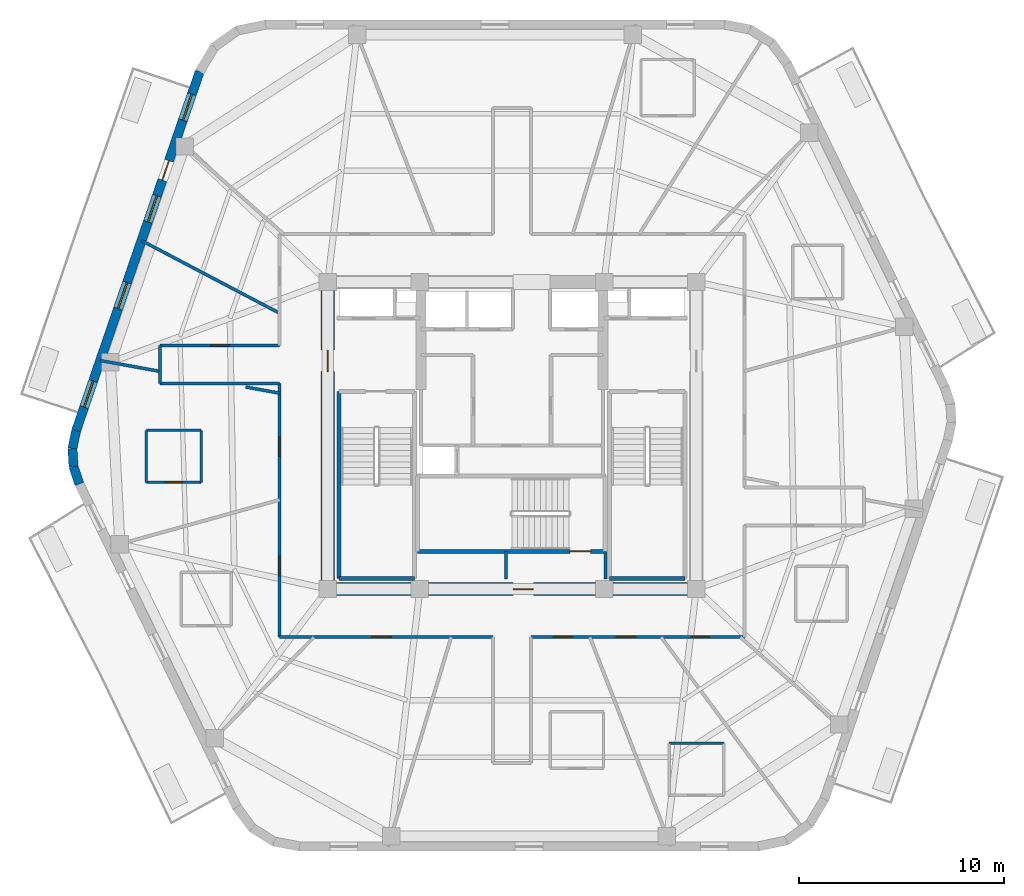
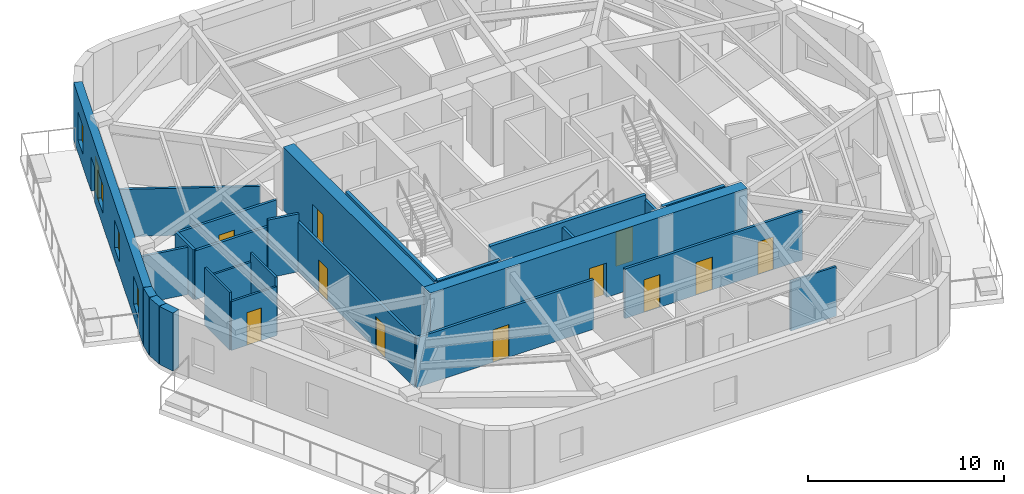
# One storey, part 3 of 9: 26 walls, 12 doors, 4 windows, 16 openings.
"""IFC4 building model written with IfcOpenShell, lengths in metres."""

from ifc_helpers import new_model, si_unit, direction, frame, frame_2d, origin, place, context, subcontext, project, spatial, rectangle, extrude, material, layer, layer_set, type_object, element, fill, save


model = new_model("IFC4")

# Units and contexts
model_context = context("Model", 3, precision=1e-05, world=origin(), true_north=direction((0.0, 1.0)))
body_context = subcontext(model_context, "Body", "Model", "MODEL_VIEW")
ifc_project = project(units=[si_unit("LENGTHUNIT", "METRE"), si_unit("AREAUNIT", "SQUARE_METRE"), si_unit("VOLUMEUNIT", "CUBIC_METRE"), si_unit("PLANEANGLEUNIT", "RADIAN"), si_unit("MASSUNIT", "GRAM", prefix="KILO")], contexts=[model_context])

# Site, building, storey
site_placement = place(None, origin())
site = spatial("IfcSite", under=ifc_project, at=site_placement, CompositionType="ELEMENT")
building_placement = place(site_placement, origin())
building = spatial("IfcBuilding", under=site, at=building_placement, Name="Kilnhurst Terrace Hotel", CompositionType="ELEMENT")
storey_placement = place(building_placement, frame((0.0, 0.0, 276.89990234375)))
storey = spatial("IfcBuildingStorey", under=building, at=storey_placement, Name="L69", CompositionType="ELEMENT", Elevation=276.89990234375)

# Walls
ifc_material_1 = material(Name="Precast concrete C40/50", Category="concrete")
ifc_layer_1 = layer(ifc_material_1, 0.449951171875, Name="Precast concrete C40/50")
ifc_layer_set_1 = layer_set([ifc_layer_1], Name="Precast concrete C40/50")
wall_type_1 = type_object("IfcWallType", Name="WL-BRK-450", PredefinedType="SOLIDWALL", material=ifc_layer_set_1)
wall_1_placement = place(storey_placement, frame((-21.297607421875, 0.2333984375, 0.0), z_axis=(0.0, 0.0, 1.0), x_axis=(-0.199158176661, -0.979967356941, 0.0)))
element("IfcWall", 1, at=wall_1_placement, inside=storey, type_object=wall_type_1, Name="L69 Rounded Corner Brick Wall C6.1", PredefinedType="SOLIDWALL", context=body_context, shape_type="SweptSolid", body=[
    extrude(rectangle(XDim=0.894775390625, YDim=0.449951171875, at=frame_2d((0.447265625, 0.0))), origin(), (0.0, 0.0, 1.0), 3.60009765625),
])
wall_2_placement = place(storey_placement, frame((-21.475830078125, -0.6435546875, 0.0), z_axis=(0.0, 0.0, 1.0), x_axis=(0.061031097918, -0.998135865044, 0.0)))
element("IfcWall", 2, at=wall_2_placement, inside=storey, type_object=wall_type_1, Name="L69 Rounded Corner Brick Wall C6.2", PredefinedType="SOLIDWALL", context=body_context, shape_type="SweptSolid", body=[
    extrude(rectangle(XDim=0.880126953125, YDim=0.449951171875, at=frame_2d((0.43994140625, 0.0))), origin(), (0.0, 0.0, 1.0), 3.60009765625),
])
wall_3_placement = place(storey_placement, frame((-21.422119140625, -1.52197265625, 0.0), z_axis=(0.0, 0.0, 1.0), x_axis=(0.316964162323, -0.94843751497, 0.0)))
element("IfcWall", 3, at=wall_3_placement, inside=storey, type_object=wall_type_1, Name="L69 Rounded Corner Brick Wall C6.3", PredefinedType="SOLIDWALL", context=body_context, shape_type="SweptSolid", body=[
    extrude(rectangle(XDim=0.89501953125, YDim=0.449951171875, at=frame_2d((0.447509765625, 0.0))), origin(), (0.0, 0.0, 1.0), 3.60009765625),
])

# Wall, openings, door, windows
wall_4_placement = place(storey_placement, frame((-15.260498046875, 17.776123046875, 0.0), z_axis=(0.0, 0.0, 1.0), x_axis=(-0.325407437101, -0.945573899745, 0.0)))
wall_4 = element("IfcWall", 4, at=wall_4_placement, inside=storey, type_object=wall_type_1, Name="L69 Exterior Brick Facade Wall F5", PredefinedType="SOLIDWALL", context=body_context, shape_type="SweptSolid", body=[
    extrude(rectangle(XDim=18.552490234375, YDim=0.449951171875, at=frame_2d((9.2763671875, 0.0))), origin(), (0.0, 0.0, 1.0), 3.60009765625),
])
opening_1_placement = place(wall_4_placement, frame((4.60205078125, 0.0, 0.0)))
opening_1 = element("IfcOpeningElement", 5, at=opening_1_placement, cuts=wall_4, Name="Opening BD-1000", PredefinedType="OPENING", context=body_context, shape_type="SweptSolid", body=[
    extrude(rectangle(XDim=1.0, YDim=2.14990234375, at=frame_2d((0.5, 1.074951171875))), frame((0.0, 0.23486328125, 0.0), z_axis=(0.0, -1.0, 0.0), x_axis=(1.0, 0.0, 0.0)), (0.0, 0.0, 1.0), 0.469970703125),
])
opening_2_placement = place(wall_4_placement, frame((1.160888671875, 0.0, 0.800048828125)))
opening_2 = element("IfcOpeningElement", 6, at=opening_2_placement, cuts=wall_4, Name="Opening W-06", PredefinedType="OPENING", context=body_context, shape_type="SweptSolid", body=[
    extrude(rectangle(XDim=1.35009765625, YDim=1.75, at=frame_2d((0.675048828125, 0.875))), frame((0.0, 0.23486328125, 0.0), z_axis=(0.0, -1.0, 0.0), x_axis=(1.0, 0.0, 0.0)), (0.0, 0.0, 1.0), 0.469970703125),
])
opening_3_placement = place(wall_4_placement, frame((6.412109375, 0.0, 0.800048828125)))
opening_3 = element("IfcOpeningElement", 7, at=opening_3_placement, cuts=wall_4, Name="Opening W-06", PredefinedType="OPENING", context=body_context, shape_type="SweptSolid", body=[
    extrude(rectangle(XDim=1.35009765625, YDim=1.75, at=frame_2d((0.675048828125, 0.875))), frame((0.0, 0.23486328125, 0.0), z_axis=(0.0, -1.0, 0.0), x_axis=(1.0, 0.0, 0.0)), (0.0, 0.0, 1.0), 0.469970703125),
])
opening_4_placement = place(wall_4_placement, frame((10.89208984375, 0.0, 0.800048828125)))
opening_4 = element("IfcOpeningElement", 8, at=opening_4_placement, cuts=wall_4, Name="Opening W-06", PredefinedType="OPENING", context=body_context, shape_type="SweptSolid", body=[
    extrude(rectangle(XDim=1.35009765625, YDim=1.75, at=frame_2d((0.675048828125, 0.875))), frame((0.0, 0.23486328125, 0.0), z_axis=(0.0, -1.0, 0.0), x_axis=(1.0, 0.0, 0.0)), (0.0, 0.0, 1.0), 0.469970703125),
])
opening_5_placement = place(wall_4_placement, frame((15.987060546875, 0.0, 0.800048828125)))
opening_5 = element("IfcOpeningElement", 9, at=opening_5_placement, cuts=wall_4, Name="Opening W-06", PredefinedType="OPENING", context=body_context, shape_type="SweptSolid", body=[
    extrude(rectangle(XDim=1.35009765625, YDim=1.75, at=frame_2d((0.675048828125, 0.875))), frame((0.0, 0.23486328125, 0.0), z_axis=(0.0, -1.0, 0.0), x_axis=(1.0, 0.0, 0.0)), (0.0, 0.0, 1.0), 0.469970703125),
])
ifc_material_2 = material(Name="Thermally Broken Bronze Aluminium Alloy 6063-T6 and Laminated Glass", Category="aluminium")
door_type_1 = type_object("IfcDoorType", Name="DR-EXT-BAL-1000", OperationType="NOTDEFINED", PredefinedType="DOOR", material=ifc_material_2)
door_1_placement = place(opening_1_placement, origin())
door_1 = element("IfcDoor", 10, at=door_1_placement, inside=storey, type_object=door_type_1, Name="L69 Planted Balcony Door BAL-L2A", OperationType="SINGLE_SWING_LEFT", OverallHeight=2.14990234375, OverallWidth=1.0, PredefinedType="DOOR", context=body_context, shape_type="SweptSolid", body=[
    extrude(rectangle(XDim=1.0, YDim=2.14990234375, at=frame_2d((0.5, 1.074951171875))), frame((0.0, 0.02490234375, 0.0), z_axis=(0.0, -1.0, 0.0), x_axis=(1.0, 0.0, 0.0)), (0.0, 0.0, 1.0), 0.050048828125),
])
fill(opening_1, door_1)
ifc_material_3 = material(Name="Thermally Broken Bronze Aluminium Alloy 6063-T6 and Low-E Glass", Category="aluminium")
window_type = type_object("IfcWindowType", Name="WIN-1350X1750", PartitioningType="SINGLE_PANEL", PredefinedType="WINDOW", material=ifc_material_3)
window_1_placement = place(opening_2_placement, origin())
window_1 = element("IfcWindow", 11, at=window_1_placement, inside=storey, type_object=window_type, Name="L69 Deep-Set Masonry Window F5.1", OverallHeight=1.75, OverallWidth=1.35009765625, PartitioningType="SINGLE_PANEL", PredefinedType="WINDOW", context=body_context, shape_type="SweptSolid", body=[
    extrude(rectangle(XDim=1.35009765625, YDim=1.75, at=frame_2d((0.675048828125, 0.875))), frame((0.0, 0.030029296875, 0.0), z_axis=(0.0, -1.0, 0.0), x_axis=(1.0, 0.0, 0.0)), (0.0, 0.0, 1.0), 0.06005859375),
])
fill(opening_2, window_1)
window_2_placement = place(opening_3_placement, origin())
window_2 = element("IfcWindow", 12, at=window_2_placement, inside=storey, type_object=window_type, Name="L69 Deep-Set Masonry Window F5.2", OverallHeight=1.75, OverallWidth=1.35009765625, PartitioningType="SINGLE_PANEL", PredefinedType="WINDOW", context=body_context, shape_type="SweptSolid", body=[
    extrude(rectangle(XDim=1.35009765625, YDim=1.75, at=frame_2d((0.675048828125, 0.875))), frame((0.0, 0.030029296875, 0.0), z_axis=(0.0, -1.0, 0.0), x_axis=(1.0, 0.0, 0.0)), (0.0, 0.0, 1.0), 0.06005859375),
])
fill(opening_3, window_2)
window_3_placement = place(opening_4_placement, origin())
window_3 = element("IfcWindow", 13, at=window_3_placement, inside=storey, type_object=window_type, Name="L69 Deep-Set Masonry Window F5.3", OverallHeight=1.75, OverallWidth=1.35009765625, PartitioningType="SINGLE_PANEL", PredefinedType="WINDOW", context=body_context, shape_type="SweptSolid", body=[
    extrude(rectangle(XDim=1.35009765625, YDim=1.75, at=frame_2d((0.675048828125, 0.875))), frame((0.0, 0.030029296875, 0.0), z_axis=(0.0, -1.0, 0.0), x_axis=(1.0, 0.0, 0.0)), (0.0, 0.0, 1.0), 0.06005859375),
])
fill(opening_4, window_3)
window_4_placement = place(opening_5_placement, origin())
window_4 = element("IfcWindow", 14, at=window_4_placement, inside=storey, type_object=window_type, Name="L69 Deep-Set Masonry Window F5.4", OverallHeight=1.75, OverallWidth=1.35009765625, PartitioningType="SINGLE_PANEL", PredefinedType="WINDOW", context=body_context, shape_type="SweptSolid", body=[
    extrude(rectangle(XDim=1.35009765625, YDim=1.75, at=frame_2d((0.675048828125, 0.875))), frame((0.0, 0.030029296875, 0.0), z_axis=(0.0, -1.0, 0.0), x_axis=(1.0, 0.0, 0.0)), (0.0, 0.0, 1.0), 0.06005859375),
])
fill(opening_5, window_4)

# Wall, openings, doors
ifc_material_4 = material(Name="Acoustic Double-Gypsum Corridor Partition Assembly")
ifc_layer_2 = layer(ifc_material_4, 0.14990234375, Name="Acoustic Double-Gypsum Corridor Partition Assembly")
ifc_layer_set_2 = layer_set([ifc_layer_2], Name="Acoustic Double-Gypsum Corridor Partition Assembly")
wall_type_2 = type_object("IfcWallType", Name="WL-COR-150", PredefinedType="PARTITIONING", material=ifc_layer_set_2)
wall_5_placement = place(storey_placement, frame((-11.35009765625, -9.85009765625, 0.0), z_axis=(0.0, 0.0, 1.0), x_axis=(0.0, 1.0, 0.0)))
wall_5 = element("IfcWall", 15, at=wall_5_placement, inside=storey, type_object=wall_type_2, Name="L69 Interior Wall WL-L69-COR-01", PredefinedType="PARTITIONING", context=body_context, shape_type="SweptSolid", body=[
    extrude(rectangle(XDim=12.400146484375, YDim=0.14990234375, at=frame_2d((6.2001953125, 0.0))), origin(), (0.0, 0.0, 1.0), 3.090087890625),
])
opening_6_placement = place(wall_5_placement, frame((8.8349609375, 0.0, 0.0)))
opening_6 = element("IfcOpeningElement", 16, at=opening_6_placement, cuts=wall_5, Name="Opening D-60B", PredefinedType="OPENING", context=body_context, shape_type="SweptSolid", body=[
    extrude(rectangle(XDim=0.949951171875, YDim=2.030029296875, at=frame_2d((0.47509765625, 1.01513671875))), frame((0.0, 0.0849609375, 0.0), z_axis=(0.0, -1.0, 0.0), x_axis=(1.0, 0.0, 0.0)), (0.0, 0.0, 1.0), 0.169921875),
])
opening_7_placement = place(wall_5_placement, frame((2.998046875, 0.0, 0.0)))
opening_7 = element("IfcOpeningElement", 17, at=opening_7_placement, cuts=wall_5, Name="Opening D-60B", PredefinedType="OPENING", context=body_context, shape_type="SweptSolid", body=[
    extrude(rectangle(XDim=0.949951171875, YDim=2.030029296875, at=frame_2d((0.47509765625, 1.01513671875))), frame((0.0, 0.0849609375, 0.0), z_axis=(0.0, -1.0, 0.0), x_axis=(1.0, 0.0, 0.0)), (0.0, 0.0, 1.0), 0.169921875),
])
ifc_material_5 = material(Name="Acoustic Walnut Veneer Solid-Core Fire Door")
door_type_2 = type_object("IfcDoorType", Name="DR-FD60-950", OperationType="NOTDEFINED", PredefinedType="DOOR", material=ifc_material_5)
door_2_placement = place(opening_6_placement, origin())
door_2 = element("IfcDoor", 18, at=door_2_placement, inside=storey, type_object=door_type_2, Name="L69 Guest Room Entry Door 8", OperationType="SINGLE_SWING_RIGHT", OverallHeight=2.030029296875, OverallWidth=0.949951171875, PredefinedType="DOOR", context=body_context, shape_type="SweptSolid", body=[
    extrude(rectangle(XDim=0.949951171875, YDim=2.030029296875, at=frame_2d((0.47509765625, 1.01513671875))), frame((0.0, 0.02490234375, 0.0), z_axis=(0.0, -1.0, 0.0), x_axis=(1.0, 0.0, 0.0)), (0.0, 0.0, 1.0), 0.050048828125),
])
fill(opening_6, door_2)
door_3_placement = place(opening_7_placement, origin())
door_3 = element("IfcDoor", 19, at=door_3_placement, inside=storey, type_object=door_type_2, Name="L69 Executive Suite Entry Door 9", OperationType="SINGLE_SWING_LEFT", OverallHeight=2.030029296875, OverallWidth=0.949951171875, PredefinedType="DOOR", context=body_context, shape_type="SweptSolid", body=[
    extrude(rectangle(XDim=0.949951171875, YDim=2.030029296875, at=frame_2d((0.47509765625, 1.01513671875))), frame((0.0, 0.02490234375, 0.0), z_axis=(0.0, -1.0, 0.0), x_axis=(1.0, 0.0, 0.0)), (0.0, 0.0, 1.0), 0.050048828125),
])
fill(opening_7, door_3)

# Walls
wall_6_placement = place(storey_placement, frame((-11.35009765625, 2.550048828125, 0.0), z_axis=(0.0, 0.0, 1.0), x_axis=(-1.0, 0.0, 0.0)))
element("IfcWall", 20, at=wall_6_placement, inside=storey, type_object=wall_type_2, Name="L69 Interior Wall WL-L69-COR-02", PredefinedType="PARTITIONING", context=body_context, shape_type="SweptSolid", body=[
    extrude(rectangle(XDim=5.849853515625, YDim=0.14990234375, at=frame_2d((2.9248046875, 0.0))), origin(), (0.0, 0.0, 1.0), 3.04052734375),
])
wall_7_placement = place(storey_placement, frame((-17.199951171875, 2.550048828125, 0.0), z_axis=(0.0, 0.0, 1.0), x_axis=(0.0, 1.0, 0.0)))
element("IfcWall", 21, at=wall_7_placement, inside=storey, type_object=wall_type_2, Name="L69 Interior Wall WL-L69-COR-03", PredefinedType="PARTITIONING", context=body_context, shape_type="SweptSolid", body=[
    extrude(rectangle(XDim=1.849853515625, YDim=0.14990234375, at=frame_2d((0.9248046875, 0.0))), origin(), (0.0, 0.0, 1.0), 3.090087890625),
])

# Wall, opening, door
wall_8_placement = place(storey_placement, frame((-17.199951171875, 4.39990234375, 0.0), z_axis=(0.0, 0.0, 1.0), x_axis=(1.0, 0.0, 0.0)))
wall_8 = element("IfcWall", 22, at=wall_8_placement, inside=storey, type_object=wall_type_2, Name="L69 Interior Wall WL-L69-COR-04", PredefinedType="PARTITIONING", context=body_context, shape_type="SweptSolid", body=[
    extrude(rectangle(XDim=5.849853515625, YDim=0.14990234375, at=frame_2d((2.9248046875, 0.0))), origin(), (0.0, 0.0, 1.0), 3.04052734375),
])
opening_8_placement = place(wall_8_placement, frame((2.47509765625, 0.0, 0.0)))
opening_8 = element("IfcOpeningElement", 23, at=opening_8_placement, cuts=wall_8, Name="Opening D-60C", PredefinedType="OPENING", context=body_context, shape_type="SweptSolid", body=[
    extrude(rectangle(XDim=0.89990234375, YDim=2.030029296875, at=frame_2d((0.449951171875, 1.01513671875))), frame((0.0, 0.0849609375, 0.0), z_axis=(0.0, -1.0, 0.0), x_axis=(1.0, 0.0, 0.0)), (0.0, 0.0, 1.0), 0.169921875),
])
ifc_material_6 = material(Name="Painted Solid-Core Service Fire Door")
door_type_3 = type_object("IfcDoorType", Name="DR-FD60-900", OperationType="NOTDEFINED", PredefinedType="DOOR", material=ifc_material_6)
door_4_placement = place(opening_8_placement, origin())
door_4 = element("IfcDoor", 24, at=door_4_placement, inside=storey, type_object=door_type_3, Name="L69 Private Meeting Salon Door 7", OperationType="SINGLE_SWING_LEFT", OverallHeight=2.030029296875, OverallWidth=0.89990234375, PredefinedType="DOOR", context=body_context, shape_type="SweptSolid", body=[
    extrude(rectangle(XDim=0.89990234375, YDim=2.030029296875, at=frame_2d((0.449951171875, 1.01513671875))), frame((0.0, 0.02490234375, 0.0), z_axis=(0.0, -1.0, 0.0), x_axis=(1.0, 0.0, 0.0)), (0.0, 0.0, 1.0), 0.050048828125),
])
fill(opening_8, door_4)

# Wall, openings, doors
wall_9_placement = place(storey_placement, frame((11.35009765625, -9.85009765625, 0.0), z_axis=(0.0, 0.0, 1.0), x_axis=(-1.0, 0.0, 0.0)))
wall_9 = element("IfcWall", 25, at=wall_9_placement, inside=storey, type_object=wall_type_2, Name="L69 Interior Wall WL-L69-COR-16", PredefinedType="PARTITIONING", context=body_context, shape_type="SweptSolid", body=[
    extrude(rectangle(XDim=10.43017578125, YDim=0.14990234375, at=frame_2d((5.215087890625, 0.0))), origin(), (0.0, 0.0, 1.0), 3.090087890625),
])
opening_9_placement = place(wall_9_placement, frame((8.382080078125, 0.0, 0.0)))
opening_9 = element("IfcOpeningElement", 26, at=opening_9_placement, cuts=wall_9, Name="Opening D-60B", PredefinedType="OPENING", context=body_context, shape_type="SweptSolid", body=[
    extrude(rectangle(XDim=0.949951171875, YDim=2.030029296875, at=frame_2d((0.47509765625, 1.01513671875))), frame((0.0, 0.0849609375, 0.0), z_axis=(0.0, -1.0, 0.0), x_axis=(1.0, 0.0, 0.0)), (0.0, 0.0, 1.0), 0.169921875),
])
opening_10_placement = place(wall_9_placement, frame((5.298095703125, 0.0, 0.0)))
opening_10 = element("IfcOpeningElement", 27, at=opening_10_placement, cuts=wall_9, Name="Opening D-60B", PredefinedType="OPENING", context=body_context, shape_type="SweptSolid", body=[
    extrude(rectangle(XDim=0.949951171875, YDim=2.030029296875, at=frame_2d((0.47509765625, 1.01513671875))), frame((0.0, 0.0849609375, 0.0), z_axis=(0.0, -1.0, 0.0), x_axis=(1.0, 0.0, 0.0)), (0.0, 0.0, 1.0), 0.169921875),
])
opening_11_placement = place(wall_9_placement, frame((1.700927734375, 0.0, 0.0)))
opening_11 = element("IfcOpeningElement", 28, at=opening_11_placement, cuts=wall_9, Name="Opening D-60C", PredefinedType="OPENING", context=body_context, shape_type="SweptSolid", body=[
    extrude(rectangle(XDim=0.89990234375, YDim=2.030029296875, at=frame_2d((0.449951171875, 1.01513671875))), frame((0.0, 0.0849609375, 0.0), z_axis=(0.0, -1.0, 0.0), x_axis=(1.0, 0.0, 0.0)), (0.0, 0.0, 1.0), 0.169921875),
])
door_5_placement = place(opening_11_placement, origin())
door_5 = element("IfcDoor", 29, at=door_5_placement, inside=storey, type_object=door_type_3, Name="L69 Wellness Consultation Room Door 13", OperationType="SINGLE_SWING_LEFT", OverallHeight=2.030029296875, OverallWidth=0.89990234375, PredefinedType="DOOR", context=body_context, shape_type="SweptSolid", body=[
    extrude(rectangle(XDim=0.89990234375, YDim=2.030029296875, at=frame_2d((0.449951171875, 1.01513671875))), frame((0.0, 0.02490234375, 0.0), z_axis=(0.0, -1.0, 0.0), x_axis=(1.0, 0.0, 0.0)), (0.0, 0.0, 1.0), 0.050048828125),
])
fill(opening_11, door_5)
door_6_placement = place(opening_9_placement, origin())
door_6 = element("IfcDoor", 30, at=door_6_placement, inside=storey, type_object=door_type_2, Name="L69 Executive Suite Entry Door 11", OperationType="SINGLE_SWING_LEFT", OverallHeight=2.030029296875, OverallWidth=0.949951171875, PredefinedType="DOOR", context=body_context, shape_type="SweptSolid", body=[
    extrude(rectangle(XDim=0.949951171875, YDim=2.030029296875, at=frame_2d((0.47509765625, 1.01513671875))), frame((0.0, 0.02490234375, 0.0), z_axis=(0.0, -1.0, 0.0), x_axis=(1.0, 0.0, 0.0)), (0.0, 0.0, 1.0), 0.050048828125),
])
fill(opening_9, door_6)
door_7_placement = place(opening_10_placement, origin())
door_7 = element("IfcDoor", 31, at=door_7_placement, inside=storey, type_object=door_type_2, Name="L69 Guest Room Entry Door 12", OperationType="SINGLE_SWING_RIGHT", OverallHeight=2.030029296875, OverallWidth=0.949951171875, PredefinedType="DOOR", context=body_context, shape_type="SweptSolid", body=[
    extrude(rectangle(XDim=0.949951171875, YDim=2.030029296875, at=frame_2d((0.47509765625, 1.01513671875))), frame((0.0, 0.02490234375, 0.0), z_axis=(0.0, -1.0, 0.0), x_axis=(1.0, 0.0, 0.0)), (0.0, 0.0, 1.0), 0.050048828125),
])
fill(opening_10, door_7)

# Wall, opening, door
wall_10_placement = place(storey_placement, frame((-0.919921875, -9.85009765625, 0.0), z_axis=(0.0, 0.0, 1.0), x_axis=(-1.0, 0.0, 0.0)))
wall_10 = element("IfcWall", 32, at=wall_10_placement, inside=storey, type_object=wall_type_2, Name="L69 Interior Wall WL-L69-COR-20", PredefinedType="PARTITIONING", context=body_context, shape_type="SweptSolid", body=[
    extrude(rectangle(XDim=10.43017578125, YDim=0.14990234375, at=frame_2d((5.215087890625, 0.0))), origin(), (0.0, 0.0, 1.0), 3.090087890625),
])
opening_12_placement = place(wall_10_placement, frame((4.97509765625, 0.0, 0.0)))
opening_12 = element("IfcOpeningElement", 33, at=opening_12_placement, cuts=wall_10, Name="Opening D-60B", PredefinedType="OPENING", context=body_context, shape_type="SweptSolid", body=[
    extrude(rectangle(XDim=0.949951171875, YDim=2.030029296875, at=frame_2d((0.47509765625, 1.01513671875))), frame((0.0, 0.0849609375, 0.0), z_axis=(0.0, -1.0, 0.0), x_axis=(1.0, 0.0, 0.0)), (0.0, 0.0, 1.0), 0.169921875),
])
door_8_placement = place(opening_12_placement, origin())
door_8 = element("IfcDoor", 34, at=door_8_placement, inside=storey, type_object=door_type_2, Name="L69 Executive Boardroom Door", OperationType="SINGLE_SWING_RIGHT", OverallHeight=2.030029296875, OverallWidth=0.949951171875, PredefinedType="DOOR", context=body_context, shape_type="SweptSolid", body=[
    extrude(rectangle(XDim=0.949951171875, YDim=2.030029296875, at=frame_2d((0.47509765625, 1.01513671875))), frame((0.0, 0.02490234375, 0.0), z_axis=(0.0, -1.0, 0.0), x_axis=(1.0, 0.0, 0.0)), (0.0, 0.0, 1.0), 0.050048828125),
])
fill(opening_12, door_8)

ifc_material_7 = material(Name="Concrete C60/75", Category="concrete")
ifc_layer_3 = layer(ifc_material_7, 0.64990234375, Name="Concrete C60/75")
ifc_layer_set_3 = layer_set([ifc_layer_3], Name="Concrete C60/75")
wall_type_3 = type_object("IfcWallType", Name="WL-CORE-650", PredefinedType="SHEAR", material=ifc_layer_set_3)
wall_11_placement = place(storey_placement, frame((-9.324951171875, -7.5, 0.0), z_axis=(0.0, 0.0, 1.0), x_axis=(1.0, 0.0, 0.0)))
wall_11 = element("IfcWall", 35, at=wall_11_placement, inside=storey, type_object=wall_type_3, Name="L69 Core South Shear Wall", PredefinedType="SHEAR", context=body_context, shape_type="SweptSolid", body=[
    extrude(rectangle(XDim=18.64990234375, YDim=0.64990234375, at=frame_2d((9.324951171875, 0.0))), origin(), (0.0, 0.0, 1.0), 3.900146484375),
])
opening_13_placement = place(wall_11_placement, frame((9.375, 0.0, 0.0)))
opening_13 = element("IfcOpeningElement", 36, at=opening_13_placement, cuts=wall_11, Name="Opening D-90B", PredefinedType="OPENING", context=body_context, shape_type="SweptSolid", body=[
    extrude(rectangle(XDim=1.0, YDim=2.14990234375, at=frame_2d((0.5, 1.074951171875))), frame((0.0, 0.3349609375, 0.0), z_axis=(0.0, -1.0, 0.0), x_axis=(1.0, 0.0, 0.0)), (0.0, 0.0, 1.0), 0.669921875),
])
ifc_material_8 = material(Name="Painted Hollow Metal Steel ASTM A36 Fire Door", Category="steel")
door_type_4 = type_object("IfcDoorType", Name="DR-FD90-1000", OperationType="NOTDEFINED", PredefinedType="DOOR", material=ifc_material_8)
door_9_placement = place(opening_13_placement, origin())
door_9 = element("IfcDoor", 37, at=door_9_placement, inside=storey, type_object=door_type_4, Name="L69 Stair ST-3 Corridor Door", OperationType="SINGLE_SWING_RIGHT", OverallHeight=2.14990234375, OverallWidth=1.0, PredefinedType="DOOR", context=body_context, shape_type="SweptSolid", body=[
    extrude(rectangle(XDim=1.0, YDim=2.14990234375, at=frame_2d((0.5, 1.074951171875))), frame((0.0, 0.02490234375, 0.0), z_axis=(0.0, -1.0, 0.0), x_axis=(1.0, 0.0, 0.0)), (0.0, 0.0, 1.0), 0.050048828125),
])
fill(opening_13, door_9)

wall_12_placement = place(storey_placement, frame((-9.0, -7.175048828125, 0.0), z_axis=(0.0, 0.0, 1.0), x_axis=(0.0, 1.0, 0.0)))
wall_12 = element("IfcWall", 38, at=wall_12_placement, inside=storey, type_object=wall_type_3, Name="L69 Core West Shear Wall", PredefinedType="SHEAR", context=body_context, shape_type="SweptSolid", body=[
    extrude(rectangle(XDim=14.35009765625, YDim=0.64990234375, at=frame_2d((7.175048828125, 0.0))), origin(), (0.0, 0.0, 1.0), 3.900146484375),
])
opening_14_placement = place(wall_12_placement, frame((10.300048828125, 0.0, 0.0)))
opening_14 = element("IfcOpeningElement", 39, at=opening_14_placement, cuts=wall_12, Name="Opening D-90A", PredefinedType="OPENING", context=body_context, shape_type="SweptSolid", body=[
    extrude(rectangle(XDim=1.050048828125, YDim=2.14990234375, at=frame_2d((0.52490234375, 1.074951171875))), frame((0.0, 0.3349609375, 0.0), z_axis=(0.0, -1.0, 0.0), x_axis=(1.0, 0.0, 0.0)), (0.0, 0.0, 1.0), 0.669921875),
])
door_type_5 = type_object("IfcDoorType", Name="DR-FD90-1050", OperationType="NOTDEFINED", PredefinedType="DOOR", material=ifc_material_8)
door_10_placement = place(opening_14_placement, origin())
door_10 = element("IfcDoor", 40, at=door_10_placement, inside=storey, type_object=door_type_5, Name="L69 West Firefighting Lobby Door", OperationType="SINGLE_SWING_RIGHT", OverallHeight=2.14990234375, OverallWidth=1.050048828125, PredefinedType="DOOR", context=body_context, shape_type="SweptSolid", body=[
    extrude(rectangle(XDim=1.050048828125, YDim=2.14990234375, at=frame_2d((0.52490234375, 1.074951171875))), frame((0.0, 0.02490234375, 0.0), z_axis=(0.0, -1.0, 0.0), x_axis=(1.0, 0.0, 0.0)), (0.0, 0.0, 1.0), 0.050048828125),
])
fill(opening_14, door_10)

# Walls
ifc_material_9 = material(Name="STC-58 Acoustic Twin-Frame Guestroom Demising Partition")
ifc_layer_4 = layer(ifc_material_9, 0.14990234375, Name="STC-58 Acoustic Twin-Frame Guestroom Demising Partition")
ifc_layer_set_4 = layer_set([ifc_layer_4], Name="STC-58 Acoustic Twin-Frame Guestroom Demising Partition")
wall_type_4 = type_object("IfcWallType", Name="WL-DEM-150", PredefinedType="PARTITIONING", material=ifc_layer_set_4)
wall_13_placement = place(storey_placement, frame((-11.35009765625, 5.970947265625, 0.0), z_axis=(0.0, 0.0, 1.0), x_axis=(-0.884999439042, 0.465592088523, 0.0)))
element("IfcWall", 41, at=wall_13_placement, inside=storey, type_object=wall_type_4, Name="L69 Interior Wall WL-L69-DEM-MID05-07-1", PredefinedType="PARTITIONING", context=body_context, shape_type="SweptSolid", body=[
    extrude(rectangle(XDim=7.6279296875, YDim=0.14990234375, at=frame_2d((3.81396484375, 0.0))), origin(), (0.0, 0.0, 1.0), 2.940185546875),
])
wall_14_placement = place(storey_placement, frame((-11.35009765625, 2.067138671875, 0.0), z_axis=(0.0, 0.0, 1.0), x_axis=(-0.983807459651, 0.179228575665, 0.0)))
element("IfcWall", 42, at=wall_14_placement, inside=storey, type_object=wall_type_4, Name="L69 Interior Wall WL-L69-DEM-COL06-08-1", PredefinedType="PARTITIONING", context=body_context, shape_type="SweptSolid", body=[
    extrude(rectangle(XDim=1.6904296875, YDim=0.14990234375, at=frame_2d((0.84521484375, 0.0))), origin(), (0.0, 0.0, 1.0), 3.60009765625),
])
wall_15_placement = place(storey_placement, frame((-17.199951171875, 3.132568359375, 0.0), z_axis=(0.0, 0.0, 1.0), x_axis=(-0.983817168797, 0.179175272791, 0.0)))
element("IfcWall", 43, at=wall_15_placement, inside=storey, type_object=wall_type_4, Name="L69 Interior Wall WL-L69-DEM-COL06-08-2", PredefinedType="PARTITIONING", context=body_context, shape_type="SweptSolid", body=[
    extrude(rectangle(XDim=2.965087890625, YDim=0.14990234375, at=frame_2d((1.482421875, 0.0))), origin(), (0.0, 0.0, 1.0), 2.940185546875),
])

# Wall, opening, door
ifc_material_10 = material(Name="120 mm Moisture-Resistant Tile-Backed Bathroom Partition")
ifc_layer_5 = layer(ifc_material_10, 0.1201171875, Name="120 mm Moisture-Resistant Tile-Backed Bathroom Partition")
ifc_layer_set_5 = layer_set([ifc_layer_5], Name="120 mm Moisture-Resistant Tile-Backed Bathroom Partition")
wall_type_5 = type_object("IfcWallType", Name="WL-PART-120", PredefinedType="PARTITIONING", material=ifc_layer_set_5)
wall_16_placement = place(storey_placement, frame((-17.864990234375, -2.2890625, 0.0), z_axis=(0.0, 0.0, 1.0), x_axis=(1.0, 0.0, 0.0)))
wall_16 = element("IfcWall", 44, at=wall_16_placement, inside=storey, type_object=wall_type_5, Name="L69 Interior Wall WL-L69-BTH-08-1", PredefinedType="PARTITIONING", context=body_context, shape_type="SweptSolid", body=[
    extrude(rectangle(XDim=2.679931640625, YDim=0.1201171875, at=frame_2d((1.33984375, 0.0))), origin(), (0.0, 0.0, 1.0), 3.04052734375),
])
opening_15_placement = place(wall_16_placement, frame((0.9150390625, 0.0, 0.0)))
opening_15 = element("IfcOpeningElement", 45, at=opening_15_placement, cuts=wall_16, Name="Opening D-08A", PredefinedType="OPENING", context=body_context, shape_type="SweptSolid", body=[
    extrude(rectangle(XDim=0.85009765625, YDim=2.030029296875, at=frame_2d((0.425048828125, 1.01513671875))), frame((0.0, 0.070068359375, 0.0), z_axis=(0.0, -1.0, 0.0), x_axis=(1.0, 0.0, 0.0)), (0.0, 0.0, 1.0), 0.14013671875),
])
ifc_material_11 = material(Name="Moisture-Resistant Lacquered En-suite Bathroom Door")
door_type_6 = type_object("IfcDoorType", Name="DR-INT-850", OperationType="NOTDEFINED", PredefinedType="DOOR", material=ifc_material_11)
door_11_placement = place(opening_15_placement, origin())
door_11 = element("IfcDoor", 46, at=door_11_placement, inside=storey, type_object=door_type_6, Name="L69 En-suite Bathroom Door 8", OperationType="SINGLE_SWING_LEFT", OverallHeight=2.030029296875, OverallWidth=0.85009765625, PredefinedType="DOOR", context=body_context, shape_type="SweptSolid", body=[
    extrude(rectangle(XDim=0.85009765625, YDim=2.030029296875, at=frame_2d((0.425048828125, 1.01513671875))), frame((0.0, 0.02490234375, 0.0), z_axis=(0.0, -1.0, 0.0), x_axis=(1.0, 0.0, 0.0)), (0.0, 0.0, 1.0), 0.050048828125),
])
fill(opening_15, door_11)

# Walls
wall_17_placement = place(storey_placement, frame((-15.18505859375, -2.2890625, 0.0), z_axis=(0.0, 0.0, 1.0), x_axis=(0.0, 1.0, 0.0)))
element("IfcWall", 47, at=wall_17_placement, inside=storey, type_object=wall_type_5, Name="L69 Interior Wall WL-L69-BTH-08-2", PredefinedType="PARTITIONING", context=body_context, shape_type="SweptSolid", body=[
    extrude(rectangle(XDim=2.5400390625, YDim=0.1201171875, at=frame_2d((1.27001953125, 0.0))), origin(), (0.0, 0.0, 1.0), 3.60009765625),
])
wall_18_placement = place(storey_placement, frame((-15.18505859375, 0.2509765625, 0.0), z_axis=(0.0, 0.0, 1.0), x_axis=(-1.0, 0.0, 0.0)))
element("IfcWall", 48, at=wall_18_placement, inside=storey, type_object=wall_type_5, Name="L69 Interior Wall WL-L69-BTH-08-3", PredefinedType="PARTITIONING", context=body_context, shape_type="SweptSolid", body=[
    extrude(rectangle(XDim=2.679931640625, YDim=0.1201171875, at=frame_2d((1.33984375, 0.0))), origin(), (0.0, 0.0, 1.0), 3.04052734375),
])
wall_19_placement = place(storey_placement, frame((-17.864990234375, 0.2509765625, 0.0), z_axis=(0.0, 0.0, 1.0), x_axis=(0.0, -1.0, 0.0)))
element("IfcWall", 49, at=wall_19_placement, inside=storey, type_object=wall_type_5, Name="L69 Interior Wall WL-L69-BTH-08-4", PredefinedType="PARTITIONING", context=body_context, shape_type="SweptSolid", body=[
    extrude(rectangle(XDim=2.5400390625, YDim=0.1201171875, at=frame_2d((1.27001953125, 0.0))), origin(), (0.0, 0.0, 1.0), 3.60009765625),
])
wall_20_placement = place(storey_placement, frame((10.35400390625, -15.041015625, 0.0), z_axis=(0.0, 0.0, 1.0), x_axis=(-1.0, 0.0, 0.0)))
element("IfcWall", 50, at=wall_20_placement, inside=storey, type_object=wall_type_5, Name="L69 Interior Wall WL-L69-BTH-12-3", PredefinedType="PARTITIONING", context=body_context, shape_type="SweptSolid", body=[
    extrude(rectangle(XDim=2.679931640625, YDim=0.1201171875, at=frame_2d((1.33984375, 0.0))), origin(), (0.0, 0.0, 1.0), 3.090087890625),
])
ifc_material_12 = material(Name="Fire-Rated Gypsum Shaftliner Assembly")
ifc_layer_6 = layer(ifc_material_12, 0.14990234375, Name="Fire-Rated Gypsum Shaftliner Assembly")
ifc_layer_set_6 = layer_set([ifc_layer_6], Name="Fire-Rated Gypsum Shaftliner Assembly")
wall_type_6 = type_object("IfcWallType", Name="WL-SHAFT-150", PredefinedType="PARTITIONING", material=ifc_layer_set_6)
for number, where, z_axis, x_axis, name in (
    (51, (-0.300048828125, -7.02001953125, 0.0), (0.0, 0.0, 1.0), (0.0, 1.0, 0.0), "L69 Interior Wall WL-L69-ST3-PSGW"),
    (52, (4.55810546875, -7.02001953125, 0.0), (0.0, 0.0, 1.0), (0.0, 1.0, 0.0), "L69 Interior Wall WL-L69-ST3-PSGE"),
):
    element("IfcWall", number, at=place(storey_placement, frame(where, z_axis=z_axis, x_axis=x_axis)), inside=storey, type_object=wall_type_6, Name=name, PredefinedType="PARTITIONING", context=body_context, shape_type="SweptSolid", body=[
        extrude(rectangle(XDim=1.362060546875, YDim=0.14990234375, at=frame_2d((0.68115234375, 0.0))), origin(), (0.0, 0.0, 1.0), 3.60009765625),
    ])
ifc_material_13 = material(Name="Concrete C50/60", Category="concrete")
ifc_layer_7 = layer(ifc_material_13, 0.199951171875, Name="Concrete C50/60")
ifc_layer_set_7 = layer_set([ifc_layer_7], Name="Concrete C50/60")
wall_type_7 = type_object("IfcWallType", Name="WL-STAIR-RC-200", PredefinedType="SHEAR", material=ifc_layer_set_7)
wall_21_placement = place(storey_placement, frame((-8.4580078125, -6.985107421875, 0.0), z_axis=(0.0, 0.0, 1.0), x_axis=(0.0, 1.0, 0.0)))
element("IfcWall", 53, at=wall_21_placement, inside=storey, type_object=wall_type_7, Name="L69 Structural Stair Shaft Wall WL-L69-ST1-W", PredefinedType="SHEAR", context=body_context, shape_type="SweptSolid", body=[
    extrude(rectangle(XDim=9.14306640625, YDim=0.199951171875, at=frame_2d((4.571533203125, 0.0))), origin(), (0.0, 0.0, 1.0), 3.900146484375),
])
for number, where, z_axis, x_axis, name in (
    (54, (-8.4580078125, -6.985107421875, 0.0), (0.0, 0.0, 1.0), (1.0, 0.0, 0.0), "L69 Structural Stair Shaft Wall WL-L69-ST1-S"),
    (55, (4.77197265625, -6.985107421875, 0.0), (0.0, 0.0, 1.0), (1.0, 0.0, 0.0), "L69 Structural Stair Shaft Wall WL-L69-ST2-S"),
):
    element("IfcWall", number, at=place(storey_placement, frame(where, z_axis=z_axis, x_axis=x_axis)), inside=storey, type_object=wall_type_7, Name=name, PredefinedType="SHEAR", context=body_context, shape_type="SweptSolid", body=[
        extrude(rectangle(XDim=3.68603515625, YDim=0.199951171875, at=frame_2d((1.843017578125, 0.0))), origin(), (0.0, 0.0, 1.0), 3.900146484375),
    ])

# Wall, opening, door
wall_22_placement = place(storey_placement, frame((-4.60791015625, -5.657958984375, 0.0), z_axis=(0.0, 0.0, 1.0), x_axis=(1.0, 0.0, 0.0)))
wall_22 = element("IfcWall", 56, at=wall_22_placement, inside=storey, type_object=wall_type_7, Name="L69 Structural Stair Shaft Wall WL-L69-ST3-S", PredefinedType="SHEAR", context=body_context, shape_type="SweptSolid", body=[
    extrude(rectangle(XDim=9.166015625, YDim=0.199951171875, at=frame_2d((4.5830078125, 0.0))), origin(), (0.0, 0.0, 1.0), 3.900146484375),
])
opening_16_placement = place(wall_22_placement, frame((7.449951171875, 0.0, 0.0)))
opening_16 = element("IfcOpeningElement", 57, at=opening_16_placement, cuts=wall_22, Name="Opening D-90B", PredefinedType="OPENING", context=body_context, shape_type="SweptSolid", body=[
    extrude(rectangle(XDim=1.0, YDim=2.14990234375, at=frame_2d((0.5, 1.074951171875))), frame((0.0, 0.10986328125, 0.0), z_axis=(0.0, -1.0, 0.0), x_axis=(1.0, 0.0, 0.0)), (0.0, 0.0, 1.0), 0.219970703125),
])
door_12_placement = place(opening_16_placement, origin())
door_12 = element("IfcDoor", 58, at=door_12_placement, inside=storey, type_object=door_type_4, Name="L69 Stair ST-3 Shaft Door", OperationType="SINGLE_SWING_LEFT", OverallHeight=2.14990234375, OverallWidth=1.0, PredefinedType="DOOR", context=body_context, shape_type="SweptSolid", body=[
    extrude(rectangle(XDim=1.0, YDim=2.14990234375, at=frame_2d((0.5, 1.074951171875))), frame((0.0, 0.02490234375, 0.0), z_axis=(0.0, -1.0, 0.0), x_axis=(1.0, 0.0, 0.0)), (0.0, 0.0, 1.0), 0.050048828125),
])
fill(opening_16, door_12)

save(model, "model.ifc")
